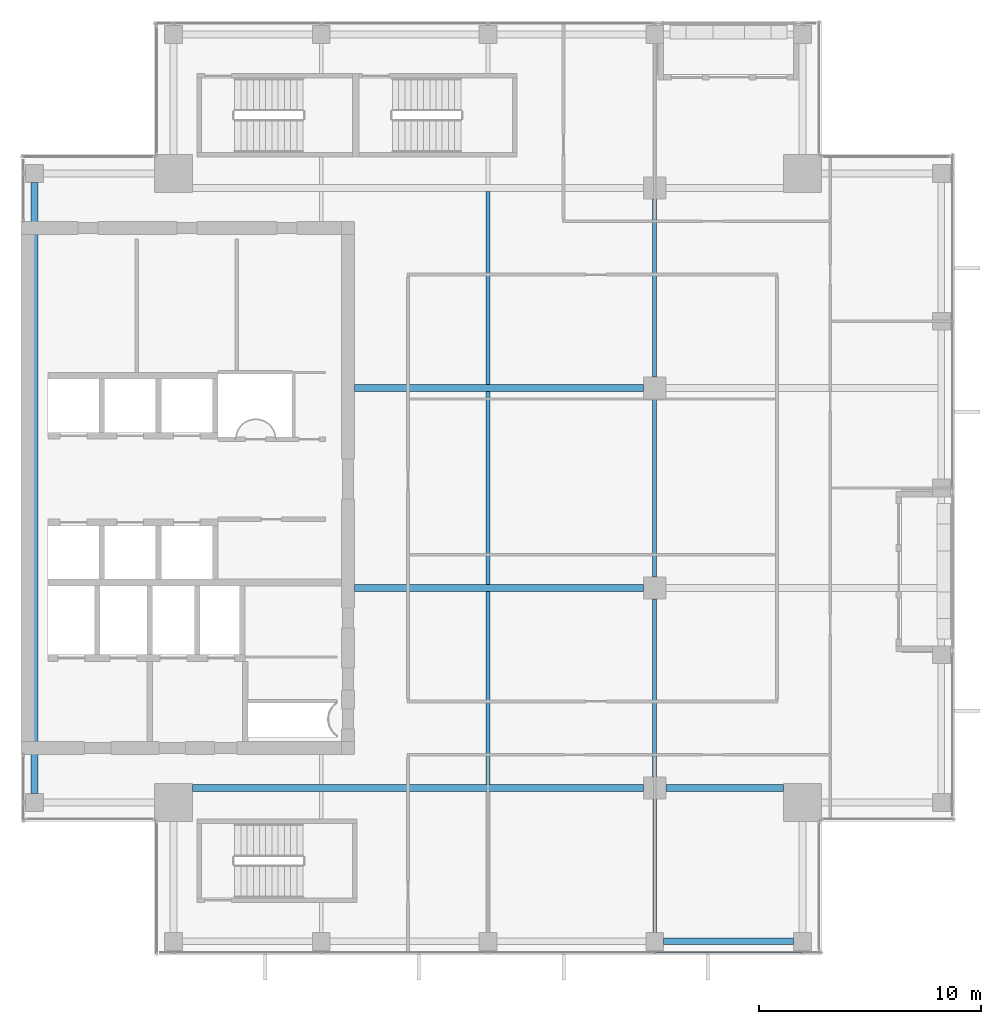
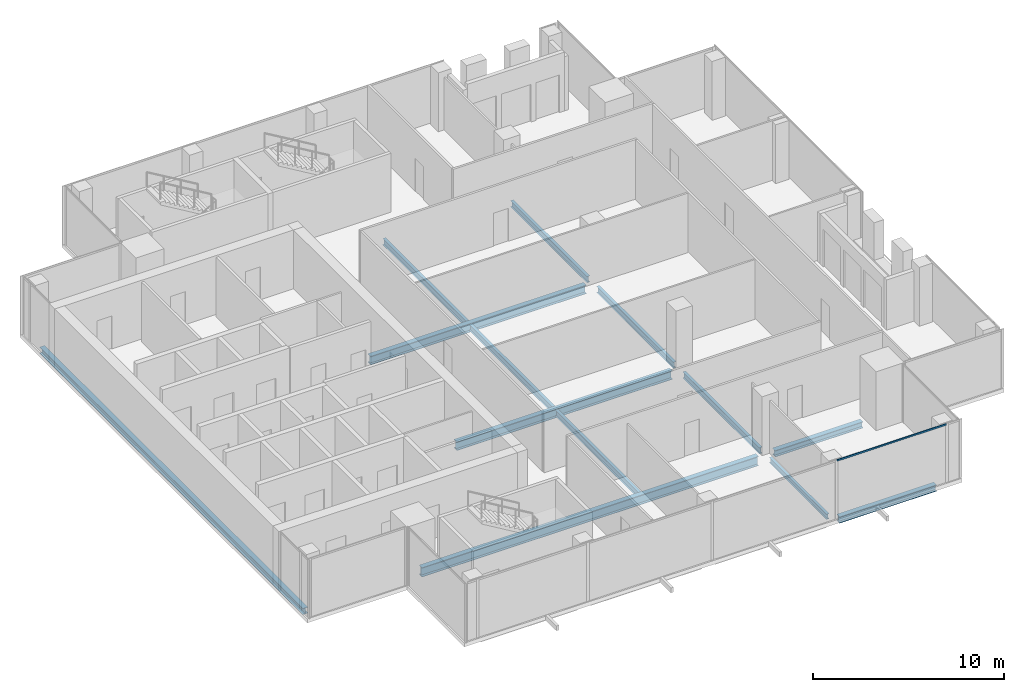
# One storey, part 7 of 29: 13 beams, 1 member, 1 element without a shape of its own.
"""IFC4 building model written with IfcOpenShell, lengths in metres."""

from ifc_helpers import new_model, si_unit, direction, frame, origin, origin_2d, place, context, subcontext, project, spatial, hollow_rectangle, i_section, extrude, source, transform, mapped, material, material_profile, profile_set, type_object, element, aggregate, save


model = new_model("IFC4")

# Units and contexts
model_context = context("Model", 3, precision=1e-05, world=origin(), true_north=direction((0.0, 1.0)))
body_context = subcontext(model_context, "Body", "Model", "MODEL_VIEW")
ifc_project = project(units=[si_unit("LENGTHUNIT", "METRE"), si_unit("AREAUNIT", "SQUARE_METRE"), si_unit("VOLUMEUNIT", "CUBIC_METRE"), si_unit("PLANEANGLEUNIT", "RADIAN"), si_unit("MASSUNIT", "GRAM", prefix="KILO")], contexts=[model_context])

# Site, building, storey
site_placement = place(None, origin())
site = spatial("IfcSite", under=ifc_project, at=site_placement, CompositionType="ELEMENT")
building_placement = place(site_placement, origin())
building = spatial("IfcBuilding", under=site, at=building_placement, Name="Khomas Fold Tower", CompositionType="ELEMENT")
storey_placement = place(building_placement, frame((0.0, 0.0, 286.199951171875)))
storey = spatial("IfcBuildingStorey", under=building, at=storey_placement, Name="L64", CompositionType="ELEMENT", Elevation=286.199951171875)

# Beams
ifc_material_1 = material(Name="Steel S355", Category="steel")
ifc_material_profile_1 = material_profile(ifc_material_1, i_section(OverallWidth=0.179931640625, OverallDepth=0.39990234375, WebThickness=0.008544921875, FlangeThickness=0.013427734375, at=origin_2d()), Name="IPE 400")
ifc_profile_set_1 = profile_set([ifc_material_profile_1], Name="Steel S355")
beam_type_1 = type_object("IfcBeamType", Name="IPE 400 beam JB3", PredefinedType="BEAM", material=ifc_profile_set_1)
shared_shape_1 = source(origin(), body_context, "Body", "SweptSolid", [
    extrude(i_section(OverallWidth=0.179931640625, OverallDepth=0.39990234375, WebThickness=0.008544921875, FlangeThickness=0.013427734375, at=origin_2d()), origin(), (0.0, 0.0, 1.0), 8.7001953125),
])
for number, where, z_axis, x_axis, name in (
    (1, (27.0, 13.64990234375, -0.449951171875), (0.0, 1.0, 0.0), (-1.0, 0.0, 0.0), "JB3"),
    (2, (27.0, 22.64990234375, -0.449951171875), (0.0, 1.0, 0.0), (-1.0, 0.0, 0.0), "JB3"),
    (3, (27.0, 31.64990234375, -0.449951171875), (0.0, 1.0, 0.0), (-1.0, 0.0, 0.0), "JB3"),
):
    element("IfcBeam", number, at=place(storey_placement, frame(where, z_axis=z_axis, x_axis=x_axis)), inside=storey, type_object=beam_type_1, Name=name, PredefinedType="BEAM", context=body_context, shape_type="MappedRepresentation", body=[
        mapped(shared_shape_1, transform((0.0, 0.0, 0.0))),
    ])
ifc_material_2 = material(Name="Steel S355", Category="steel")
ifc_material_profile_2 = material_profile(ifc_material_2, i_section(OverallWidth=0.300048828125, OverallDepth=0.39990234375, WebThickness=0.013427734375, FlangeThickness=0.02392578125, at=origin_2d()), Name="HE 400 B")
ifc_profile_set_2 = profile_set([ifc_material_profile_2], Name="Steel S355")
beam_type_2 = type_object("IfcBeamType", Name="HE 400 B spandrel SB5", PredefinedType="SPANDREL", material=ifc_profile_set_2)
shared_shape_2 = source(origin(), body_context, "Body", "SweptSolid", [
    extrude(i_section(OverallWidth=0.300048828125, OverallDepth=0.39990234375, WebThickness=0.013427734375, FlangeThickness=0.02392578125, at=origin_2d()), origin(), (0.0, 0.0, 1.0), 5.85009765625),
])
beam_1_placement = place(storey_placement, frame((34.89990234375, 6.60009765625, -0.449951171875), z_axis=(1.0, 0.0, 0.0), x_axis=(0.0, 1.0, 0.0)))
element("IfcBeam", 4, at=beam_1_placement, inside=storey, type_object=beam_type_2, Name="SB5", PredefinedType="SPANDREL", context=body_context, shape_type="MappedRepresentation", body=[
    mapped(shared_shape_2, transform((0.0, 0.0, 0.0))),
])
shared_shape_3 = source(origin(), body_context, "Body", "SweptSolid", [
    extrude(i_section(OverallWidth=0.300048828125, OverallDepth=0.39990234375, WebThickness=0.013427734375, FlangeThickness=0.02392578125, at=origin_2d()), origin(), (0.0, 0.0, 1.0), 27.5),
])
beam_2_placement = place(storey_placement, frame((6.60009765625, 13.25, -0.449951171875), z_axis=(0.0, 1.0, 0.0), x_axis=(-1.0, 0.0, 0.0)))
element("IfcBeam", 5, at=beam_2_placement, inside=storey, type_object=beam_type_2, Name="SB5", PredefinedType="SPANDREL", context=body_context, shape_type="MappedRepresentation", body=[
    mapped(shared_shape_3, transform((0.0, 0.0, 0.0))),
])
ifc_material_3 = material(Name="Steel S355", Category="steel")
ifc_material_profile_3 = material_profile(ifc_material_3, i_section(OverallWidth=0.300048828125, OverallDepth=0.60009765625, WebThickness=0.015380859375, FlangeThickness=0.030029296875, at=origin_2d()), Name="HE 600 B")
ifc_profile_set_3 = profile_set([ifc_material_profile_3], Name="Steel S355")
beam_type_3 = type_object("IfcBeamType", Name="HE 600 B beam GB5", PredefinedType="BEAM", material=ifc_profile_set_3)
shared_shape_4 = source(origin(), body_context, "Body", "SweptSolid", [
    extrude(i_section(OverallWidth=0.300048828125, OverallDepth=0.60009765625, WebThickness=0.015380859375, FlangeThickness=0.030029296875, at=origin_2d()), origin(), (0.0, 0.0, 1.0), 20.300048828125),
])
beam_3_placement = place(storey_placement, frame((13.699951171875, 13.5, -0.550048828125), z_axis=(1.0, 0.0, 0.0), x_axis=(0.0, 1.0, 0.0)))
element("IfcBeam", 6, at=beam_3_placement, inside=storey, type_object=beam_type_3, Name="GB5", PredefinedType="BEAM", context=body_context, shape_type="MappedRepresentation", body=[
    mapped(shared_shape_4, transform((0.0, 0.0, 0.0))),
])
ifc_material_4 = material(Name="Steel S355", Category="steel")
ifc_material_profile_4 = material_profile(ifc_material_4, i_section(OverallWidth=0.300048828125, OverallDepth=0.39990234375, WebThickness=0.013427734375, FlangeThickness=0.02392578125, at=origin_2d()), Name="HE 400 B")
ifc_profile_set_4 = profile_set([ifc_material_profile_4], Name="Steel S355")
beam_type_4 = type_object("IfcBeamType", Name="HE 400 B beam GB1", PredefinedType="BEAM", material=ifc_profile_set_4)
shared_shape_5 = source(origin(), body_context, "Body", "SweptSolid", [
    extrude(i_section(OverallWidth=0.300048828125, OverallDepth=0.39990234375, WebThickness=0.013427734375, FlangeThickness=0.02392578125, at=origin_2d()), origin(), (0.0, 0.0, 1.0), 5.300048828125),
])
beam_4_placement = place(storey_placement, frame((35.0, 13.5, -0.449951171875), z_axis=(1.0, 0.0, 0.0), x_axis=(0.0, 1.0, 0.0)))
element("IfcBeam", 7, at=beam_4_placement, inside=storey, type_object=beam_type_4, Name="GB1", PredefinedType="BEAM", context=body_context, shape_type="MappedRepresentation", body=[
    mapped(shared_shape_5, transform((0.0, 0.0, 0.0))),
])
ifc_material_5 = material(Name="Steel S355", Category="steel")
ifc_material_profile_5 = material_profile(ifc_material_5, i_section(OverallWidth=0.300048828125, OverallDepth=0.550048828125, WebThickness=0.014892578125, FlangeThickness=0.029052734375, at=origin_2d()), Name="HE 550 B")
ifc_profile_set_5 = profile_set([ifc_material_profile_5], Name="Steel S355")
beam_type_5 = type_object("IfcBeamType", Name="HE 550 B beam GB4", PredefinedType="BEAM", material=ifc_profile_set_5)
shared_shape_6 = source(origin(), body_context, "Body", "SweptSolid", [
    extrude(i_section(OverallWidth=0.300048828125, OverallDepth=0.550048828125, WebThickness=0.014892578125, FlangeThickness=0.029052734375, at=origin_2d()), origin(), (0.0, 0.0, 1.0), 13.0),
])
for number, where, z_axis, x_axis, name in (
    (8, (21.0, 22.5, -0.52490234375), (1.0, 0.0, 0.0), (0.0, 1.0, 0.0), "GB4"),
    (9, (21.0, 31.5, -0.52490234375), (1.0, 0.0, 0.0), (0.0, 1.0, 0.0), "GB4"),
):
    element("IfcBeam", number, at=place(storey_placement, frame(where, z_axis=z_axis, x_axis=x_axis)), inside=storey, type_object=beam_type_5, Name=name, PredefinedType="BEAM", context=body_context, shape_type="MappedRepresentation", body=[
        mapped(shared_shape_6, transform((0.0, 0.0, 0.0))),
    ])
ifc_material_6 = material(Name="Steel S355", Category="steel")
ifc_material_profile_6 = material_profile(ifc_material_6, i_section(OverallWidth=0.159912109375, OverallDepth=0.330078125, WebThickness=0.007568359375, FlangeThickness=0.011474609375, at=origin_2d()), Name="IPE 330")
ifc_profile_set_6 = profile_set([ifc_material_profile_6], Name="Steel S355")
beam_type_6 = type_object("IfcBeamType", Name="IPE 330 beam JB1", PredefinedType="BEAM", material=ifc_profile_set_6)
shared_shape_7 = source(origin(), body_context, "Body", "SweptSolid", [
    extrude(i_section(OverallWidth=0.159912109375, OverallDepth=0.330078125, WebThickness=0.007568359375, FlangeThickness=0.011474609375, at=origin_2d()), origin(), (0.0, 0.0, 1.0), 6.0),
])
beam_5_placement = place(storey_placement, frame((34.5, 7.0, -0.4150390625), z_axis=(0.0, 1.0, 0.0), x_axis=(-1.0, 0.0, 0.0)))
element("IfcBeam", 10, at=beam_5_placement, inside=storey, type_object=beam_type_6, Name="JB1", PredefinedType="BEAM", context=body_context, shape_type="MappedRepresentation", body=[
    mapped(shared_shape_7, transform((0.0, 0.0, 0.0))),
])
shared_shape_8 = source(origin(), body_context, "Body", "SweptSolid", [
    extrude(i_section(OverallWidth=0.179931640625, OverallDepth=0.39990234375, WebThickness=0.008544921875, FlangeThickness=0.013427734375, at=origin_2d()), origin(), (0.0, 0.0, 1.0), 8.0),
])
for number, where, z_axis, x_axis, name in (
    (11, (34.5, 14.0, -0.449951171875), (0.0, 1.0, 0.0), (-1.0, 0.0, 0.0), "JB3"),
    (12, (34.5, 23.0, -0.449951171875), (0.0, 1.0, 0.0), (-1.0, 0.0, 0.0), "JB3"),
    (13, (34.5, 32.0, -0.449951171875), (0.0, 1.0, 0.0), (-1.0, 0.0, 0.0), "JB3"),
):
    element("IfcBeam", number, at=place(storey_placement, frame(where, z_axis=z_axis, x_axis=x_axis)), inside=storey, type_object=beam_type_1, Name=name, PredefinedType="BEAM", context=body_context, shape_type="MappedRepresentation", body=[
        mapped(shared_shape_8, transform((0.0, 0.0, 0.0))),
    ])

# Curtain wall, member
ifc_material_7 = material(Name="Aluminium framed double glazing", Category="aluminium")
curtain_wall_type = type_object("IfcCurtainWallType", Name="SK-Unitised clear-glass wall, upper floors CW3", PredefinedType="NOTDEFINED", material=ifc_material_7)
curtain_wall_placement = place(storey_placement, origin())
curtain_wall = element("IfcCurtainWall", 14, at=curtain_wall_placement, inside=storey, type_object=curtain_wall_type, Name="CW3 run L64 00-0", PredefinedType="NOTDEFINED")
ifc_material_8 = material(Name="Aluminium", Category="aluminium")
ifc_material_profile_7 = material_profile(ifc_material_8, hollow_rectangle(XDim=0.050048828125, YDim=0.10009765625, WallThickness=0.00390625, at=origin_2d()), Name="SK-Unitised clear-glass wall, upper floors transom CW3-T")
ifc_profile_set_7 = profile_set([ifc_material_profile_7], Name="Aluminium")
member_type = type_object("IfcMemberType", Name="SK-Unitised clear-glass wall, upper floors transom CW3-T", PredefinedType="USERDEFINED", material=ifc_profile_set_7)
shared_shape_9 = source(origin(), body_context, "Body", "SweptSolid", [
    extrude(hollow_rectangle(XDim=0.050048828125, YDim=0.10009765625, WallThickness=0.00390625, at=origin_2d()), origin(), (0.0, 0.0, 1.0), 6.60009765625),
])
member_placement = place(storey_placement, frame((34.52490234375, 6.10009765625, 3.699951171875), z_axis=(1.0, 0.0, 0.0), x_axis=(0.0, 1.0, 0.0)))
member = element("IfcMember", 15, at=member_placement, type_object=member_type, Name="CW3 transom 5", ObjectType="TRANSOM", PredefinedType="USERDEFINED", context=body_context, shape_type="MappedRepresentation", body=[
    mapped(shared_shape_9, transform((0.0, 0.0, 0.0))),
])
aggregate(curtain_wall, [member])

save(model, "model.ifc")
